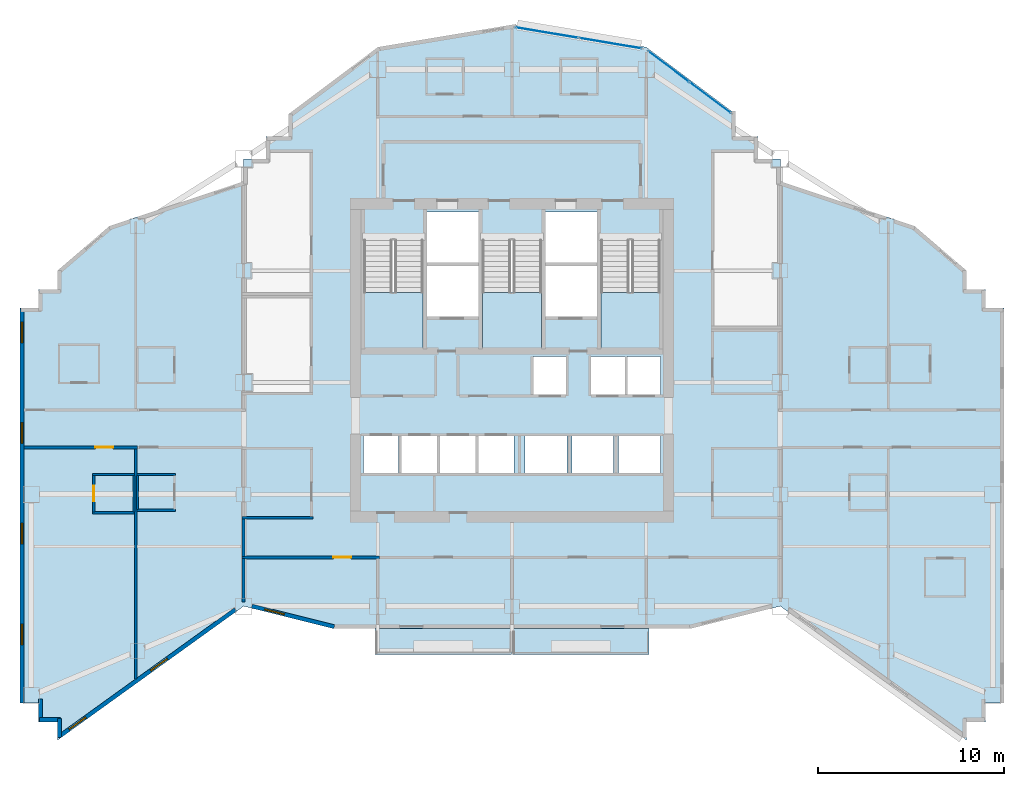
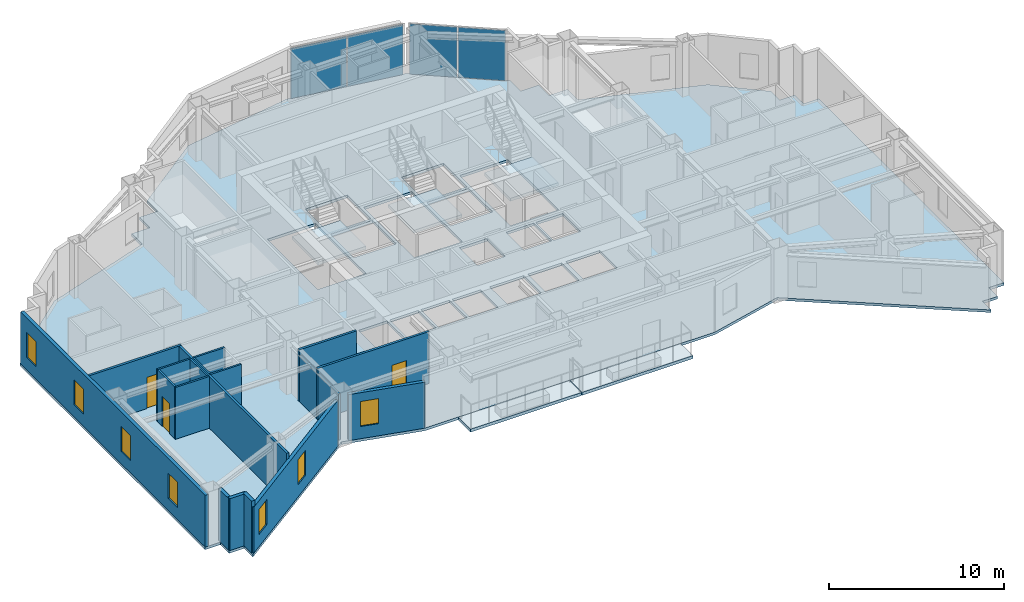
# One storey, part 4 of 12: 19 walls, 7 windows, 6 slabs, 4 plates, 3 doors, 10 openings, 5 elements without a shape of their own.
"""IFC4 building model written with IfcOpenShell, lengths in metres."""

from ifc_helpers import new_model, si_unit, direction, frame, frame_2d, origin, origin_2d, place, context, subcontext, project, spatial, polyline, rectangle, outline, extrude, material, layer, layer_set, type_object, element, fill, aggregate, save


model = new_model("IFC4")

# Units and contexts
model_context = context("Model", 3, precision=1e-05, world=origin(), true_north=direction((0.0, 1.0)))
body_context = subcontext(model_context, "Body", "Model", "MODEL_VIEW")
ifc_project = project(units=[si_unit("LENGTHUNIT", "METRE"), si_unit("AREAUNIT", "SQUARE_METRE"), si_unit("VOLUMEUNIT", "CUBIC_METRE"), si_unit("PLANEANGLEUNIT", "RADIAN"), si_unit("MASSUNIT", "GRAM", prefix="KILO")], contexts=[model_context])

# Site, building, storey
site_placement = place(None, origin())
site = spatial("IfcSite", under=ifc_project, at=site_placement, CompositionType="ELEMENT")
building_placement = place(site_placement, origin())
building = spatial("IfcBuilding", under=site, at=building_placement, Name="Haolan Belvedere Tower", CompositionType="ELEMENT")
storey_placement = place(building_placement, frame((0.0, 0.0, 169.0)))
storey = spatial("IfcBuildingStorey", under=building, at=storey_placement, Name="L42", CompositionType="ELEMENT", Elevation=169.0)

# Curtain wall, plates
ifc_material_1 = material(Name="Anodised champagne-silver aluminium 6063-T6 and Low-E glass", Category="aluminium")
ifc_layer_1 = layer(ifc_material_1, 0.14990234375, Name="Anodised champagne-silver aluminium 6063-T6 and Low-E glass")
ifc_layer_set_1 = layer_set([ifc_layer_1], Name="Anodised champagne-silver aluminium 6063-T6 and Low-E glass")
curtain_wall_type = type_object("IfcCurtainWallType", Name="CW-SYS-04", PredefinedType="NOTDEFINED", material=ifc_layer_set_1)
curtain_wall_1_placement = place(storey_placement, origin())
curtain_wall_1 = element("IfcCurtainWall", 1, at=curtain_wall_1_placement, inside=storey, type_object=curtain_wall_type, Name="L42 CW-SYS-04 ribbon curtain wall 20.1", PredefinedType="NOTDEFINED")
ifc_material_2 = material(Name="Double silver Low-E laminated insulating glass", Category="glass")
ifc_layer_2 = layer(ifc_material_2, 0.02392578125, Name="Double silver Low-E laminated insulating glass")
ifc_layer_set_2 = layer_set([ifc_layer_2], Name="Double silver Low-E laminated insulating glass")
plate_type = type_object("IfcPlateType", Name="CW-SYS-04-PNL", PredefinedType="CURTAIN_PANEL", material=ifc_layer_set_2)
plate_1_placement = place(storey_placement, frame((49.0390625, 48.883056640625, 0.052001953125), z_axis=(0.0, 0.0, 1.0), x_axis=(-0.799997871638, 0.600002837806, 0.0)))
plate_1 = element("IfcPlate", 2, at=plate_1_placement, type_object=plate_type, Name="CW-04 panel 1.1", PredefinedType="CURTAIN_PANEL", context=body_context, shape_type="SweptSolid", body=[
    extrude(rectangle(XDim=2.735107421875, YDim=0.02392578125, at=origin_2d()), origin(), (0.0, 0.0, 1.0), 3.51611328125),
])
plate_2_placement = place(storey_placement, frame((46.806396484375, 50.557861328125, 0.052001953125), z_axis=(0.0, 0.0, 1.0), x_axis=(-0.799997871638, 0.600002837806, 0.0)))
plate_2 = element("IfcPlate", 3, at=plate_2_placement, type_object=plate_type, Name="CW-04 panel 2.1", PredefinedType="CURTAIN_PANEL", context=body_context, shape_type="SweptSolid", body=[
    extrude(rectangle(XDim=2.735107421875, YDim=0.02392578125, at=origin_2d()), origin(), (0.0, 0.0, 1.0), 3.51611328125),
])
aggregate(curtain_wall_1, [plate_1, plate_2])

curtain_wall_2_placement = place(storey_placement, origin())
curtain_wall_2 = element("IfcCurtainWall", 4, at=curtain_wall_2_placement, inside=storey, type_object=curtain_wall_type, Name="L42 CW-SYS-04 ribbon curtain wall 21.1", PredefinedType="NOTDEFINED")
plate_3_placement = place(storey_placement, frame((43.683837890625, 51.807861328125, 0.052001953125), z_axis=(0.0, 0.0, 1.0), x_axis=(-0.98639276122, 0.164405962825, 0.0)))
plate_3 = element("IfcPlate", 5, at=plate_3_placement, type_object=plate_type, Name="CW-04 panel 1.1", PredefinedType="CURTAIN_PANEL", context=body_context, shape_type="SweptSolid", body=[
    extrude(rectangle(XDim=3.403076171875, YDim=0.02392578125, at=origin_2d()), origin(), (0.0, 0.0, 1.0), 3.51611328125),
])
plate_4_placement = place(storey_placement, frame((40.271728515625, 52.37646484375, 0.052001953125), z_axis=(0.0, 0.0, 1.0), x_axis=(-0.98639276122, 0.164405962825, 0.0)))
plate_4 = element("IfcPlate", 6, at=plate_4_placement, type_object=plate_type, Name="CW-04 panel 2.1", PredefinedType="CURTAIN_PANEL", context=body_context, shape_type="SweptSolid", body=[
    extrude(rectangle(XDim=3.403076171875, YDim=0.02392578125, at=origin_2d()), origin(), (0.0, 0.0, 1.0), 3.51611328125),
])
aggregate(curtain_wall_2, [plate_3, plate_4])

# Slabs
ifc_material_3 = material(Name="Concrete C40/50", Category="concrete")
ifc_layer_3 = layer(ifc_material_3, 0.2099609375, Name="Concrete C40/50")
ifc_layer_set_3 = layer_set([ifc_layer_3], Name="Concrete C40/50")
slab_type_1 = type_object("IfcSlabType", Name="SL-BAL-210", PredefinedType="FLOOR", material=ifc_layer_set_3)
slab_1_placement = place(storey_placement, frame((0.0, 0.0, -0.22998046875)))
element("IfcSlab", 7, at=slab_1_placement, inside=storey, type_object=slab_type_1, Name="L42 structural tree-planter balcony slab BAL-L42-S1", PredefinedType="FLOOR", context=body_context, shape_type="SweptSolid", body=[
    extrude(outline(polyline([(31.050048828125, 19.02001953125), (38.3798828125, 19.02001953125), (38.3798828125, 20.39990234375), (31.050048828125, 20.39990234375), (31.050048828125, 19.02001953125)])), origin(), (0.0, 0.0, 1.0), 0.2099609375),
])
slab_2_placement = place(storey_placement, frame((0.0, 0.0, -0.22998046875)))
element("IfcSlab", 8, at=slab_2_placement, inside=storey, type_object=slab_type_1, Name="L42 structural tree-planter balcony slab BAL-L42-S2", PredefinedType="FLOOR", context=body_context, shape_type="SweptSolid", body=[
    extrude(outline(polyline([(38.419921875, 19.02001953125), (45.75, 19.02001953125), (45.75, 20.39990234375), (38.419921875, 20.39990234375), (38.419921875, 19.02001953125)])), origin(), (0.0, 0.0, 1.0), 0.2099609375),
])
ifc_layer_4 = layer(ifc_material_3, 0.179931640625, Name="Concrete C40/50")
ifc_layer_set_4 = layer_set([ifc_layer_4], Name="Concrete C40/50")
slab_type_2 = type_object("IfcSlabType", Name="SL-FLR-180", PredefinedType="FLOOR", material=ifc_layer_set_4)
slab_3_placement = place(storey_placement, frame((0.0, 0.0, -0.179931640625)))
element("IfcSlab", 9, at=slab_3_placement, inside=storey, type_object=slab_type_2, Name="L42 structural floor slab", PredefinedType="FLOOR", context=body_context, shape_type="SweptSolid", body=[
    extrude(outline(polyline([(24.0, 21.60009765625), (28.800048828125, 20.39990234375), (48.0, 20.39990234375), (52.800048828125, 21.60009765625), (62.800048828125, 14.39990234375), (62.800048828125, 15.39990234375), (63.800048828125, 15.39990234375), (63.800048828125, 16.39990234375), (64.800048828125, 16.39990234375), (64.800048828125, 37.60009765625), (63.800048828125, 37.60009765625), (63.800048828125, 38.60009765625), (62.800048828125, 38.60009765625), (62.800048828125, 39.60009765625), (60.0, 42.0), (52.800048828125, 44.39990234375), (52.800048828125, 45.60009765625), (51.60009765625, 45.60009765625), (51.60009765625, 46.800048828125), (50.39990234375, 46.800048828125), (50.39990234375, 48.0), (45.60009765625, 51.60009765625), (38.39990234375, 52.800048828125), (31.199951171875, 51.60009765625), (26.39990234375, 48.0), (26.39990234375, 46.800048828125), (25.199951171875, 46.800048828125), (25.199951171875, 45.60009765625), (24.0, 45.60009765625), (24.0, 44.39990234375), (16.800048828125, 42.0), (14.0, 39.60009765625), (14.0, 38.60009765625), (13.0, 38.60009765625), (13.0, 37.60009765625), (12.0, 37.60009765625), (12.0, 16.800048828125), (12.0, 16.39990234375), (13.0, 16.39990234375), (13.0, 15.39990234375), (14.0, 15.39990234375), (14.0, 14.39990234375), (24.0, 21.60009765625)]), holes=[polyline([(30.449951171875, 41.22998046875), (30.449951171875, 35.449951171875), (33.6298828125, 35.449951171875), (33.6298828125, 41.22998046875), (30.449951171875, 41.22998046875)]), polyline([(36.81005859375, 41.22998046875), (36.81005859375, 35.449951171875), (39.989990234375, 35.449951171875), (39.989990234375, 41.22998046875), (36.81005859375, 41.22998046875)]), polyline([(43.169921875, 41.22998046875), (43.169921875, 35.449951171875), (46.35009765625, 35.449951171875), (46.35009765625, 41.22998046875), (43.169921875, 41.22998046875)]), polyline([(33.830078125, 40.050048828125), (36.610107421875, 40.050048828125), (36.610107421875, 42.75), (33.830078125, 42.75), (33.830078125, 40.050048828125)]), polyline([(33.830078125, 37.14990234375), (36.610107421875, 37.14990234375), (36.610107421875, 39.85009765625), (33.830078125, 39.85009765625), (33.830078125, 37.14990234375)]), polyline([(40.18994140625, 40.050048828125), (42.969970703125, 40.050048828125), (42.969970703125, 42.75), (40.18994140625, 42.75), (40.18994140625, 40.050048828125)]), polyline([(40.18994140625, 37.14990234375), (42.969970703125, 37.14990234375), (42.969970703125, 39.85009765625), (40.18994140625, 39.85009765625), (40.18994140625, 37.14990234375)]), polyline([(39.5400390625, 32.949951171875), (41.389892578125, 32.949951171875), (41.389892578125, 35.0), (39.5400390625, 35.0), (39.5400390625, 32.949951171875)]), polyline([(42.6201171875, 32.949951171875), (44.469970703125, 32.949951171875), (44.469970703125, 35.0), (42.6201171875, 35.0), (42.6201171875, 32.949951171875)]), polyline([(44.580078125, 32.949951171875), (46.3798828125, 32.949951171875), (46.3798828125, 35.0), (44.580078125, 35.0), (44.580078125, 32.949951171875)]), polyline([(30.419921875, 28.75), (32.320068359375, 28.75), (32.320068359375, 30.75), (30.419921875, 30.75), (30.419921875, 28.75)]), polyline([(32.47998046875, 28.75), (34.3798828125, 28.75), (34.3798828125, 30.75), (32.47998046875, 30.75), (32.47998046875, 28.75)]), polyline([(34.5400390625, 28.75), (36.43994140625, 28.75), (36.43994140625, 30.75), (34.5400390625, 30.75), (34.5400390625, 28.75)]), polyline([(36.60009765625, 28.75), (38.5, 28.75), (38.5, 30.75), (36.60009765625, 30.75), (36.60009765625, 28.75)]), polyline([(39.10009765625, 28.75), (41.340087890625, 28.75), (41.340087890625, 30.75), (39.10009765625, 30.75), (39.10009765625, 28.75)]), polyline([(41.610107421875, 28.75), (43.85009765625, 28.75), (43.85009765625, 30.75), (41.610107421875, 30.75), (41.610107421875, 28.75)]), polyline([(44.1201171875, 28.75), (46.360107421875, 28.75), (46.360107421875, 30.75), (44.1201171875, 30.75), (44.1201171875, 28.75)])]), origin(), (0.0, 0.0, 1.0), 0.179931640625),
])

# Stair, slab
stair_type = type_object("IfcStairType", Name="STR-DL-22R-173", PredefinedType="HALF_TURN_STAIR", material=ifc_material_3)
stair_1_placement = place(storey_placement, origin())
stair_1 = element("IfcStair", 10, at=stair_1_placement, inside=storey, type_object=stair_type, Name="L42 Smokeproof Core Exit Stair ST1", PredefinedType="HALF_TURN_STAIR")
ifc_layer_5 = layer(ifc_material_3, 0.199951171875, Name="Concrete C40/50")
ifc_layer_set_5 = layer_set([ifc_layer_5], Name="Concrete C40/50")
slab_type_3 = type_object("IfcSlabType", Name="SL-LAND-200", PredefinedType="LANDING", material=ifc_layer_set_5)
slab_4_placement = place(storey_placement, frame((0.0, 0.0, 1.699951171875)))
slab_4 = element("IfcSlab", 11, at=slab_4_placement, type_object=slab_type_3, Name="ST1 landing 1", PredefinedType="LANDING", context=body_context, shape_type="SweptSolid", body=[
    extrude(outline(polyline([(30.449951171875, 38.429931640625), (30.449951171875, 35.449951171875), (33.6298828125, 35.449951171875), (33.6298828125, 38.429931640625), (30.449951171875, 38.429931640625)])), origin(), (0.0, 0.0, 1.0), 0.199951171875),
])
aggregate(stair_1, [slab_4])

stair_2_placement = place(storey_placement, origin())
stair_2 = element("IfcStair", 12, at=stair_2_placement, inside=storey, type_object=stair_type, Name="L42 Smokeproof Core Exit Stair ST3", PredefinedType="HALF_TURN_STAIR")
slab_5_placement = place(storey_placement, frame((0.0, 0.0, 1.699951171875)))
slab_5 = element("IfcSlab", 13, at=slab_5_placement, type_object=slab_type_3, Name="ST3 landing 1", PredefinedType="LANDING", context=body_context, shape_type="SweptSolid", body=[
    extrude(outline(polyline([(36.81005859375, 38.429931640625), (36.81005859375, 35.449951171875), (39.989990234375, 35.449951171875), (39.989990234375, 38.429931640625), (36.81005859375, 38.429931640625)])), origin(), (0.0, 0.0, 1.0), 0.199951171875),
])
aggregate(stair_2, [slab_5])

stair_3_placement = place(storey_placement, origin())
stair_3 = element("IfcStair", 14, at=stair_3_placement, inside=storey, type_object=stair_type, Name="L42 Smokeproof Core Exit Stair ST2", PredefinedType="HALF_TURN_STAIR")
slab_6_placement = place(storey_placement, frame((0.0, 0.0, 1.699951171875)))
slab_6 = element("IfcSlab", 15, at=slab_6_placement, type_object=slab_type_3, Name="ST2 landing 1", PredefinedType="LANDING", context=body_context, shape_type="SweptSolid", body=[
    extrude(outline(polyline([(43.169921875, 38.429931640625), (43.169921875, 35.449951171875), (46.35009765625, 35.449951171875), (46.35009765625, 38.429931640625), (43.169921875, 38.429931640625)])), origin(), (0.0, 0.0, 1.0), 0.199951171875),
])
aggregate(stair_3, [slab_6])

# Wall, openings, windows
ifc_material_4 = material(Name="Precast concrete C40/50", Category="concrete")
ifc_layer_6 = layer(ifc_material_4, 0.219970703125, Name="Precast concrete C40/50")
ifc_layer_set_6 = layer_set([ifc_layer_6], Name="Precast concrete C40/50")
wall_type_1 = type_object("IfcWallType", Name="WL-EXT-220", PredefinedType="SOLIDWALL", material=ifc_layer_set_6)
wall_1_placement = place(storey_placement, frame((12.110107421875, 37.544921875, 0.0), z_axis=(0.0, 0.0, 1.0), x_axis=(0.0, -1.0, 0.0)))
wall_1 = element("IfcWall", 16, at=wall_1_placement, inside=storey, type_object=wall_type_1, Name="L42 pale-metal exterior spandrel wall 35.1", PredefinedType="SOLIDWALL", context=body_context, shape_type="SweptSolid", body=[
    extrude(rectangle(XDim=21.14501953125, YDim=0.219970703125, at=frame_2d((10.572509765625, 0.0))), origin(), (0.0, 0.0, 1.0), 3.6201171875),
])
opening_1_placement = place(wall_1_placement, frame((0.699951171875, 0.0, 0.85009765625)))
opening_1 = element("IfcOpeningElement", 17, at=opening_1_placement, cuts=wall_1, Name="Opening W-03", PredefinedType="OPENING", context=body_context, shape_type="SweptSolid", body=[
    extrude(rectangle(XDim=1.10009765625, YDim=1.75, at=frame_2d((0.550048828125, 0.875))), frame((0.0, 0.119873046875, 0.0), z_axis=(0.0, -1.0, 0.0), x_axis=(1.0, 0.0, 0.0)), (0.0, 0.0, 1.0), 0.239990234375),
])
opening_2_placement = place(wall_1_placement, frame((6.10009765625, 0.0, 0.85009765625)))
opening_2 = element("IfcOpeningElement", 18, at=opening_2_placement, cuts=wall_1, Name="Opening W-03", PredefinedType="OPENING", context=body_context, shape_type="SweptSolid", body=[
    extrude(rectangle(XDim=1.10009765625, YDim=1.75, at=frame_2d((0.550048828125, 0.875))), frame((0.0, 0.119873046875, 0.0), z_axis=(0.0, -1.0, 0.0), x_axis=(1.0, 0.0, 0.0)), (0.0, 0.0, 1.0), 0.239990234375),
])
opening_3_placement = place(wall_1_placement, frame((11.5, 0.0, 0.85009765625)))
opening_3 = element("IfcOpeningElement", 19, at=opening_3_placement, cuts=wall_1, Name="Opening W-03", PredefinedType="OPENING", context=body_context, shape_type="SweptSolid", body=[
    extrude(rectangle(XDim=1.10009765625, YDim=1.75, at=frame_2d((0.550048828125, 0.875))), frame((0.0, 0.119873046875, 0.0), z_axis=(0.0, -1.0, 0.0), x_axis=(1.0, 0.0, 0.0)), (0.0, 0.0, 1.0), 0.239990234375),
])
opening_4_placement = place(wall_1_placement, frame((16.89990234375, 0.0, 0.85009765625)))
opening_4 = element("IfcOpeningElement", 20, at=opening_4_placement, cuts=wall_1, Name="Opening W-03", PredefinedType="OPENING", context=body_context, shape_type="SweptSolid", body=[
    extrude(rectangle(XDim=1.10009765625, YDim=1.75, at=frame_2d((0.550048828125, 0.875))), frame((0.0, 0.119873046875, 0.0), z_axis=(0.0, -1.0, 0.0), x_axis=(1.0, 0.0, 0.0)), (0.0, 0.0, 1.0), 0.239990234375),
])
ifc_material_5 = material(Name="Anodised aluminium 6063-T6 and Low-E glass", Category="aluminium")
window_type = type_object("IfcWindowType", Name="WN-DECO-Z3", PartitioningType="SINGLE_PANEL", PredefinedType="WINDOW", material=ifc_material_5)
window_1_placement = place(opening_1_placement, origin())
window_1 = element("IfcWindow", 21, at=window_1_placement, inside=storey, type_object=window_type, Name="L42 Art Deco chevron window 1", OverallHeight=1.75, OverallWidth=1.10009765625, PartitioningType="SINGLE_PANEL", PredefinedType="WINDOW", context=body_context, shape_type="SweptSolid", body=[
    extrude(rectangle(XDim=1.10009765625, YDim=1.75, at=frame_2d((0.550048828125, 0.875))), frame((0.0, 0.030029296875, 0.0), z_axis=(0.0, -1.0, 0.0), x_axis=(1.0, 0.0, 0.0)), (0.0, 0.0, 1.0), 0.06005859375),
])
fill(opening_1, window_1)
window_2_placement = place(opening_2_placement, origin())
window_2 = element("IfcWindow", 22, at=window_2_placement, inside=storey, type_object=window_type, Name="L42 Art Deco chevron window 2", OverallHeight=1.75, OverallWidth=1.10009765625, PartitioningType="SINGLE_PANEL", PredefinedType="WINDOW", context=body_context, shape_type="SweptSolid", body=[
    extrude(rectangle(XDim=1.10009765625, YDim=1.75, at=frame_2d((0.550048828125, 0.875))), frame((0.0, 0.030029296875, 0.0), z_axis=(0.0, -1.0, 0.0), x_axis=(1.0, 0.0, 0.0)), (0.0, 0.0, 1.0), 0.06005859375),
])
fill(opening_2, window_2)
window_3_placement = place(opening_3_placement, origin())
window_3 = element("IfcWindow", 23, at=window_3_placement, inside=storey, type_object=window_type, Name="L42 Art Deco chevron window 3", OverallHeight=1.75, OverallWidth=1.10009765625, PartitioningType="SINGLE_PANEL", PredefinedType="WINDOW", context=body_context, shape_type="SweptSolid", body=[
    extrude(rectangle(XDim=1.10009765625, YDim=1.75, at=frame_2d((0.550048828125, 0.875))), frame((0.0, 0.030029296875, 0.0), z_axis=(0.0, -1.0, 0.0), x_axis=(1.0, 0.0, 0.0)), (0.0, 0.0, 1.0), 0.06005859375),
])
fill(opening_3, window_3)
window_4_placement = place(opening_4_placement, origin())
window_4 = element("IfcWindow", 24, at=window_4_placement, inside=storey, type_object=window_type, Name="L42 Art Deco chevron window 4", OverallHeight=1.75, OverallWidth=1.10009765625, PartitioningType="SINGLE_PANEL", PredefinedType="WINDOW", context=body_context, shape_type="SweptSolid", body=[
    extrude(rectangle(XDim=1.10009765625, YDim=1.75, at=frame_2d((0.550048828125, 0.875))), frame((0.0, 0.030029296875, 0.0), z_axis=(0.0, -1.0, 0.0), x_axis=(1.0, 0.0, 0.0)), (0.0, 0.0, 1.0), 0.06005859375),
])
fill(opening_4, window_4)

# Walls
wall_2_placement = place(storey_placement, frame((13.110107421875, 16.6201171875, 0.0), z_axis=(0.0, 0.0, 1.0), x_axis=(0.0, -1.0, 0.0)))
element("IfcWall", 25, at=wall_2_placement, inside=storey, type_object=wall_type_1, Name="L42 pale-metal exterior spandrel wall 37.1", PredefinedType="SOLIDWALL", context=body_context, shape_type="SweptSolid", body=[
    extrude(rectangle(XDim=1.1650390625, YDim=0.219970703125, at=frame_2d((0.58251953125, 0.0))), origin(), (0.0, 0.0, 1.0), 3.6201171875),
])
wall_3_placement = place(storey_placement, frame((13.054931640625, 15.510009765625, 0.0), z_axis=(0.0, 0.0, 1.0), x_axis=(1.0, 0.0, 0.0)))
element("IfcWall", 26, at=wall_3_placement, inside=storey, type_object=wall_type_1, Name="L42 pale-metal exterior spandrel wall 38.1", PredefinedType="SOLIDWALL", context=body_context, shape_type="SweptSolid", body=[
    extrude(rectangle(XDim=1.110107421875, YDim=0.219970703125, at=frame_2d((0.55517578125, 0.0))), origin(), (0.0, 0.0, 1.0), 3.6201171875),
])
wall_4_placement = place(storey_placement, frame((14.110107421875, 15.56494140625, 0.0), z_axis=(0.0, 0.0, 1.0), x_axis=(0.0, -1.0, 0.0)))
element("IfcWall", 27, at=wall_4_placement, inside=storey, type_object=wall_type_1, Name="L42 pale-metal exterior spandrel wall 39.1", PredefinedType="SOLIDWALL", context=body_context, shape_type="SweptSolid", body=[
    extrude(rectangle(XDim=1.005126953125, YDim=0.219970703125, at=frame_2d((0.50244140625, 0.0))), origin(), (0.0, 0.0, 1.0), 3.6201171875),
])

# Wall, openings, windows
wall_5_placement = place(storey_placement, frame((14.0654296875, 14.58251953125, 0.0), z_axis=(0.0, 0.0, 1.0), x_axis=(0.811534737332, 0.58430417601, 0.0)))
wall_5 = element("IfcWall", 28, at=wall_5_placement, inside=storey, type_object=wall_type_1, Name="L42 pale-metal exterior spandrel wall 40.1", PredefinedType="SOLIDWALL", context=body_context, shape_type="SweptSolid", body=[
    extrude(rectangle(XDim=11.697265625, YDim=0.219970703125, at=frame_2d((5.8486328125, 0.0))), origin(), (0.0, 0.0, 1.0), 3.215087890625),
])
opening_5_placement = place(wall_5_placement, frame((0.699951171875, 0.0, 0.85009765625)))
opening_5 = element("IfcOpeningElement", 29, at=opening_5_placement, cuts=wall_5, Name="Opening W-03", PredefinedType="OPENING", context=body_context, shape_type="SweptSolid", body=[
    extrude(rectangle(XDim=1.10009765625, YDim=1.75, at=frame_2d((0.550048828125, 0.875))), frame((0.0, 0.119873046875, 0.0), z_axis=(0.0, -1.0, 0.0), x_axis=(1.0, 0.0, 0.0)), (0.0, 0.0, 1.0), 0.239990234375),
])
opening_6_placement = place(wall_5_placement, frame((6.10009765625, 0.0, 0.85009765625)))
opening_6 = element("IfcOpeningElement", 30, at=opening_6_placement, cuts=wall_5, Name="Opening W-03", PredefinedType="OPENING", context=body_context, shape_type="SweptSolid", body=[
    extrude(rectangle(XDim=1.10009765625, YDim=1.75, at=frame_2d((0.550048828125, 0.875))), frame((0.0, 0.119873046875, 0.0), z_axis=(0.0, -1.0, 0.0), x_axis=(1.0, 0.0, 0.0)), (0.0, 0.0, 1.0), 0.239990234375),
])
window_5_placement = place(opening_5_placement, origin())
window_5 = element("IfcWindow", 31, at=window_5_placement, inside=storey, type_object=window_type, Name="L42 Art Deco chevron window 1", OverallHeight=1.75, OverallWidth=1.10009765625, PartitioningType="SINGLE_PANEL", PredefinedType="WINDOW", context=body_context, shape_type="SweptSolid", body=[
    extrude(rectangle(XDim=1.10009765625, YDim=1.75, at=frame_2d((0.550048828125, 0.875))), frame((0.0, 0.030029296875, 0.0), z_axis=(0.0, -1.0, 0.0), x_axis=(1.0, 0.0, 0.0)), (0.0, 0.0, 1.0), 0.06005859375),
])
fill(opening_5, window_5)
window_6_placement = place(opening_6_placement, origin())
window_6 = element("IfcWindow", 32, at=window_6_placement, inside=storey, type_object=window_type, Name="L42 Art Deco chevron window 2", OverallHeight=1.75, OverallWidth=1.10009765625, PartitioningType="SINGLE_PANEL", PredefinedType="WINDOW", context=body_context, shape_type="SweptSolid", body=[
    extrude(rectangle(XDim=1.10009765625, YDim=1.75, at=frame_2d((0.550048828125, 0.875))), frame((0.0, 0.030029296875, 0.0), z_axis=(0.0, -1.0, 0.0), x_axis=(1.0, 0.0, 0.0)), (0.0, 0.0, 1.0), 0.06005859375),
])
fill(opening_6, window_6)

# Wall, opening, window
wall_6_placement = place(storey_placement, frame((24.44189453125, 21.602783203125, 0.0), z_axis=(0.0, 0.0, 1.0), x_axis=(0.970145648609, -0.242523030833, 0.0)))
wall_6 = element("IfcWall", 33, at=wall_6_placement, inside=storey, type_object=wall_type_1, Name="L42 pale-metal exterior spandrel wall 41.1", PredefinedType="SOLIDWALL", context=body_context, shape_type="SweptSolid", body=[
    extrude(rectangle(XDim=4.561279296875, YDim=0.219970703125, at=frame_2d((2.28076171875, 0.0))), origin(), (0.0, 0.0, 1.0), 3.215087890625),
])
opening_7_placement = place(wall_6_placement, frame((0.699951171875, 0.0, 0.85009765625)))
opening_7 = element("IfcOpeningElement", 34, at=opening_7_placement, cuts=wall_6, Name="Opening W-03", PredefinedType="OPENING", context=body_context, shape_type="SweptSolid", body=[
    extrude(rectangle(XDim=1.10009765625, YDim=1.75, at=frame_2d((0.550048828125, 0.875))), frame((0.0, 0.119873046875, 0.0), z_axis=(0.0, -1.0, 0.0), x_axis=(1.0, 0.0, 0.0)), (0.0, 0.0, 1.0), 0.239990234375),
])
window_7_placement = place(opening_7_placement, origin())
window_7 = element("IfcWindow", 35, at=window_7_placement, inside=storey, type_object=window_type, Name="L42 Art Deco chevron window 1", OverallHeight=1.75, OverallWidth=1.10009765625, PartitioningType="SINGLE_PANEL", PredefinedType="WINDOW", context=body_context, shape_type="SweptSolid", body=[
    extrude(rectangle(XDim=1.10009765625, YDim=1.75, at=frame_2d((0.550048828125, 0.875))), frame((0.0, 0.030029296875, 0.0), z_axis=(0.0, -1.0, 0.0), x_axis=(1.0, 0.0, 0.0)), (0.0, 0.0, 1.0), 0.06005859375),
])
fill(opening_7, window_7)

# Wall
ifc_material_6 = material(Name="Double gypsum acoustic stud partition", Category="masonry")
ifc_layer_7 = layer(ifc_material_6, 0.14990234375, Name="Double gypsum acoustic stud partition")
ifc_layer_set_7 = layer_set([ifc_layer_7], Name="Double gypsum acoustic stud partition")
wall_type_2 = type_object("IfcWallType", Name="WL-PART-150", PredefinedType="PARTITIONING", material=ifc_layer_set_7)
wall_7_placement = place(storey_placement, frame((23.919921875, 26.35009765625, 0.0), z_axis=(0.0, 0.0, 1.0), x_axis=(1.0, 0.0, 0.0)))
element("IfcWall", 36, at=wall_7_placement, inside=storey, type_object=wall_type_2, Name="L42 interior partition IW-L42-PKTW-S", PredefinedType="PARTITIONING", context=body_context, shape_type="SweptSolid", body=[
    extrude(rectangle(XDim=3.800048828125, YDim=0.14990234375, at=frame_2d((1.89990234375, 0.0))), origin(), (0.0, 0.0, 1.0), 3.6201171875),
])

# Wall, opening, door
wall_8_placement = place(storey_placement, frame((23.919921875, 24.219970703125, 0.0), z_axis=(0.0, 0.0, 1.0), x_axis=(1.0, 0.0, 0.0)))
wall_8 = element("IfcWall", 37, at=wall_8_placement, inside=storey, type_object=wall_type_2, Name="L42 interior partition IW-L42-KS1-N", PredefinedType="PARTITIONING", context=body_context, shape_type="SweptSolid", body=[
    extrude(rectangle(XDim=7.360107421875, YDim=0.14990234375, at=frame_2d((3.68017578125, 0.0))), origin(), (0.0, 0.0, 1.0), 3.6201171875),
])
opening_8_placement = place(wall_8_placement, frame((5.844970703125, 0.0, 0.0), z_axis=(0.0, 0.0, 1.0), x_axis=(-1.0, 0.0, 0.0)))
opening_8 = element("IfcOpeningElement", 38, at=opening_8_placement, cuts=wall_8, Name="Opening ID-03", PredefinedType="OPENING", context=body_context, shape_type="SweptSolid", body=[
    extrude(rectangle(XDim=0.949951171875, YDim=2.1201171875, at=frame_2d((0.47509765625, 1.06005859375))), frame((0.0, 0.0849609375, 0.0), z_axis=(0.0, -1.0, 0.0), x_axis=(1.0, 0.0, 0.0)), (0.0, 0.0, 1.0), 0.169921875),
])
ifc_material_7 = material(Name="Painted solid-core timber", Category="wood")
door_type_1 = type_object("IfcDoorType", Name="DR-INT-950", OperationType="NOTDEFINED", PredefinedType="DOOR", material=ifc_material_7)
door_1_placement = place(opening_8_placement, origin())
door_1 = element("IfcDoor", 39, at=door_1_placement, inside=storey, type_object=door_type_1, Name="L42 door ID-L42-KS1", OperationType="SINGLE_SWING_RIGHT", OverallHeight=2.1201171875, OverallWidth=0.949951171875, PredefinedType="DOOR", context=body_context, shape_type="SweptSolid", body=[
    extrude(rectangle(XDim=0.949951171875, YDim=2.1201171875, at=frame_2d((0.47509765625, 1.06005859375))), frame((0.0, 0.02490234375, 0.0), z_axis=(0.0, -1.0, 0.0), x_axis=(1.0, 0.0, 0.0)), (0.0, 0.0, 1.0), 0.050048828125),
])
fill(opening_8, door_1)

# Wall
wall_9_placement = place(storey_placement, frame((24.0, 21.818603515625, 0.0), z_axis=(0.0, 0.0, 1.0), x_axis=(0.0, 1.0, 0.0)))
element("IfcWall", 40, at=wall_9_placement, inside=storey, type_object=wall_type_2, Name="L42 interior partition IW-L42-KS1-W", PredefinedType="PARTITIONING", context=body_context, shape_type="SweptSolid", body=[
    extrude(rectangle(XDim=2.34130859375, YDim=0.14990234375, at=frame_2d((1.170654296875, 0.0))), origin(), (0.0, 0.0, 1.0), 3.215087890625),
])

# Wall, opening, door
wall_10_placement = place(storey_placement, frame((12.2119140625, 30.1201171875, 0.0), z_axis=(0.0, 0.0, 1.0), x_axis=(1.0, 0.0, 0.0)))
wall_10 = element("IfcWall", 41, at=wall_10_placement, inside=storey, type_object=wall_type_2, Name="L42 interior partition IW-L42-T2S1-N", PredefinedType="PARTITIONING", context=body_context, shape_type="SweptSolid", body=[
    extrude(rectangle(XDim=6.09814453125, YDim=0.14990234375, at=frame_2d((3.049072265625, 0.0))), origin(), (0.0, 0.0, 1.0), 3.6201171875),
])
opening_9_placement = place(wall_10_placement, frame((4.779296875, 0.0, 0.0), z_axis=(0.0, 0.0, 1.0), x_axis=(-1.0, 0.0, 0.0)))
opening_9 = element("IfcOpeningElement", 42, at=opening_9_placement, cuts=wall_10, Name="Opening ID-01", PredefinedType="OPENING", context=body_context, shape_type="SweptSolid", body=[
    extrude(rectangle(XDim=0.949951171875, YDim=2.179931640625, at=frame_2d((0.47509765625, 1.08984375))), frame((0.0, 0.0849609375, 0.0), z_axis=(0.0, -1.0, 0.0), x_axis=(1.0, 0.0, 0.0)), (0.0, 0.0, 1.0), 0.169921875),
])
ifc_material_8 = material(Name="Acoustic walnut veneer fire-rated timber", Category="wood")
door_type_2 = type_object("IfcDoorType", Name="DR-SUITE-950", OperationType="NOTDEFINED", PredefinedType="DOOR", material=ifc_material_8)
door_2_placement = place(opening_9_placement, origin())
door_2 = element("IfcDoor", 43, at=door_2_placement, inside=storey, type_object=door_type_2, Name="L42 door ID-L42-T2S1-ENT", OperationType="SINGLE_SWING_RIGHT", OverallHeight=2.179931640625, OverallWidth=0.949951171875, PredefinedType="DOOR", context=body_context, shape_type="SweptSolid", body=[
    extrude(rectangle(XDim=0.949951171875, YDim=2.179931640625, at=frame_2d((0.47509765625, 1.08984375))), frame((0.0, 0.02490234375, 0.0), z_axis=(0.0, -1.0, 0.0), x_axis=(1.0, 0.0, 0.0)), (0.0, 0.0, 1.0), 0.050048828125),
])
fill(opening_9, door_2)

# Walls
wall_11_placement = place(storey_placement, frame((18.2099609375, 17.6923828125, 0.0), z_axis=(0.0, 0.0, 1.0), x_axis=(0.0, 1.0, 0.0)))
element("IfcWall", 44, at=wall_11_placement, inside=storey, type_object=wall_type_2, Name="L42 interior partition IW-L42-T2S1-E", PredefinedType="PARTITIONING", context=body_context, shape_type="SweptSolid", body=[
    extrude(rectangle(XDim=12.36767578125, YDim=0.14990234375, at=frame_2d((6.183837890625, 0.0))), origin(), (0.0, 0.0, 1.0), 3.6201171875),
])
wall_12_placement = place(storey_placement, frame((24.0, 24.280029296875, 0.0), z_axis=(0.0, 0.0, 1.0), x_axis=(0.0, 1.0, 0.0)))
element("IfcWall", 45, at=wall_12_placement, inside=storey, type_object=wall_type_2, Name="L42 interior partition IW-L42-T2S2-E", PredefinedType="PARTITIONING", context=body_context, shape_type="SweptSolid", body=[
    extrude(rectangle(XDim=2.010009765625, YDim=0.14990234375, at=frame_2d((1.0048828125, 0.0))), origin(), (0.0, 0.0, 1.0), 3.215087890625),
])
ifc_material_9 = material(Name="Moisture-resistant gypsum tile partition", Category="masonry")
ifc_layer_8 = layer(ifc_material_9, 0.1201171875, Name="Moisture-resistant gypsum tile partition")
ifc_layer_set_8 = layer_set([ifc_layer_8], Name="Moisture-resistant gypsum tile partition")
wall_type_3 = type_object("IfcWallType", Name="WL-WET-120", PredefinedType="PARTITIONING", material=ifc_layer_set_8)
for number, where, z_axis, x_axis, name in (
    (46, (15.89990234375, 28.669921875, 0.0), (0.0, 0.0, 1.0), (1.0, 0.0, 0.0), "L42 interior partition IW-L42-T2S1-BN"),
    (47, (15.89990234375, 26.6201171875, 0.0), (0.0, 0.0, 1.0), (1.0, 0.0, 0.0), "L42 interior partition IW-L42-T2S1-BS"),
):
    element("IfcWall", number, at=place(storey_placement, frame(where, z_axis=z_axis, x_axis=x_axis)), inside=storey, type_object=wall_type_3, Name=name, PredefinedType="PARTITIONING", context=body_context, shape_type="SweptSolid", body=[
        extrude(rectangle(XDim=2.25, YDim=0.1201171875, at=frame_2d((1.125, 0.0))), origin(), (0.0, 0.0, 1.0), 3.6201171875),
    ])

# Wall, opening, door
wall_13_placement = place(storey_placement, frame((15.9599609375, 26.6650390625, 0.0), z_axis=(0.0, 0.0, 1.0), x_axis=(0.0, 1.0, 0.0)))
wall_13 = element("IfcWall", 48, at=wall_13_placement, inside=storey, type_object=wall_type_3, Name="L42 interior partition IW-L42-T2S1-BW", PredefinedType="PARTITIONING", context=body_context, shape_type="SweptSolid", body=[
    extrude(rectangle(XDim=1.9599609375, YDim=0.1201171875, at=frame_2d((0.97998046875, 0.0))), origin(), (0.0, 0.0, 1.0), 3.6201171875),
])
opening_10_placement = place(wall_13_placement, frame((1.405029296875, 0.0, 0.0), z_axis=(0.0, 0.0, 1.0), x_axis=(-1.0, 0.0, 0.0)))
opening_10 = element("IfcOpeningElement", 49, at=opening_10_placement, cuts=wall_13, Name="Opening ID-05", PredefinedType="OPENING", context=body_context, shape_type="SweptSolid", body=[
    extrude(rectangle(XDim=0.85009765625, YDim=2.10009765625, at=frame_2d((0.425048828125, 1.050048828125))), frame((0.0, 0.070068359375, 0.0), z_axis=(0.0, -1.0, 0.0), x_axis=(1.0, 0.0, 0.0)), (0.0, 0.0, 1.0), 0.14013671875),
])
ifc_material_10 = material(Name="Moisture-resistant lacquered timber", Category="wood")
door_type_3 = type_object("IfcDoorType", Name="DR-BATH-850", OperationType="NOTDEFINED", PredefinedType="DOOR", material=ifc_material_10)
door_3_placement = place(opening_10_placement, origin())
door_3 = element("IfcDoor", 50, at=door_3_placement, inside=storey, type_object=door_type_3, Name="L42 door ID-L42-T2S1-BATH", OperationType="SINGLE_SWING_LEFT", OverallHeight=2.10009765625, OverallWidth=0.85009765625, PredefinedType="DOOR", context=body_context, shape_type="SweptSolid", body=[
    extrude(rectangle(XDim=0.85009765625, YDim=2.10009765625, at=frame_2d((0.425048828125, 1.050048828125))), frame((0.0, 0.02490234375, 0.0), z_axis=(0.0, -1.0, 0.0), x_axis=(1.0, 0.0, 0.0)), (0.0, 0.0, 1.0), 0.050048828125),
])
fill(opening_10, door_3)

# Walls
wall_14_placement = place(storey_placement, frame((18.110107421875, 26.6650390625, 0.0), z_axis=(0.0, 0.0, 1.0), x_axis=(0.0, 1.0, 0.0)))
element("IfcWall", 51, at=wall_14_placement, inside=storey, type_object=wall_type_3, Name="L42 interior partition IW-L42-T2S1-BE", PredefinedType="PARTITIONING", context=body_context, shape_type="SweptSolid", body=[
    extrude(rectangle(XDim=1.9599609375, YDim=0.1201171875, at=frame_2d((0.97998046875, 0.0))), origin(), (0.0, 0.0, 1.0), 3.6201171875),
])
for number, where, z_axis, x_axis, name in (
    (52, (18.27001953125, 28.669921875, 0.0), (0.0, 0.0, 1.0), (1.0, 0.0, 0.0), "L42 interior partition IW-L42-T2S2-BN"),
    (53, (18.27001953125, 26.75, 0.0), (0.0, 0.0, 1.0), (1.0, 0.0, 0.0), "L42 interior partition IW-L42-T2S2-BS"),
):
    element("IfcWall", number, at=place(storey_placement, frame(where, z_axis=z_axis, x_axis=x_axis)), inside=storey, type_object=wall_type_3, Name=name, PredefinedType="PARTITIONING", context=body_context, shape_type="SweptSolid", body=[
        extrude(rectangle(XDim=2.080078125, YDim=0.1201171875, at=frame_2d((1.0400390625, 0.0))), origin(), (0.0, 0.0, 1.0), 3.6201171875),
    ])
wall_15_placement = place(storey_placement, frame((18.31005859375, 26.794921875, 0.0), z_axis=(0.0, 0.0, 1.0), x_axis=(0.0, 1.0, 0.0)))
element("IfcWall", 54, at=wall_15_placement, inside=storey, type_object=wall_type_3, Name="L42 interior partition IW-L42-T2S2-BW", PredefinedType="PARTITIONING", context=body_context, shape_type="SweptSolid", body=[
    extrude(rectangle(XDim=1.830078125, YDim=0.1201171875, at=frame_2d((0.9150390625, 0.0))), origin(), (0.0, 0.0, 1.0), 3.6201171875),
])

save(model, "model.ifc")
